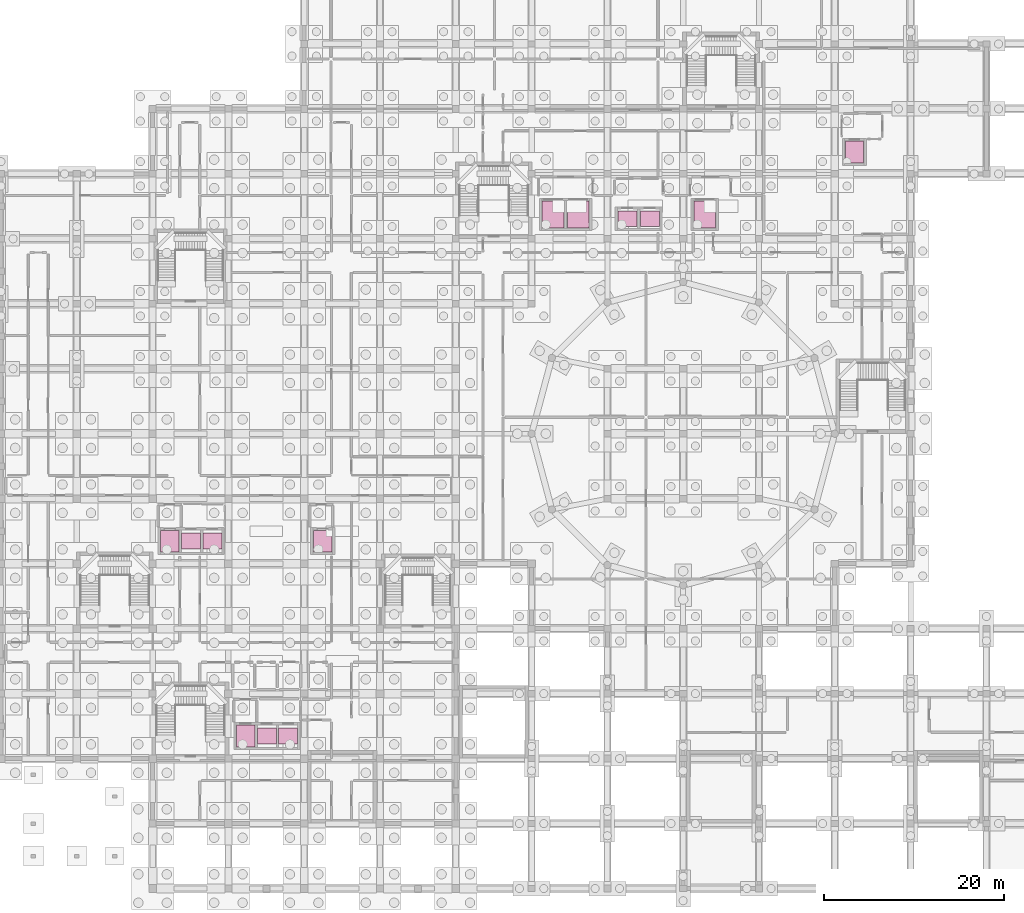
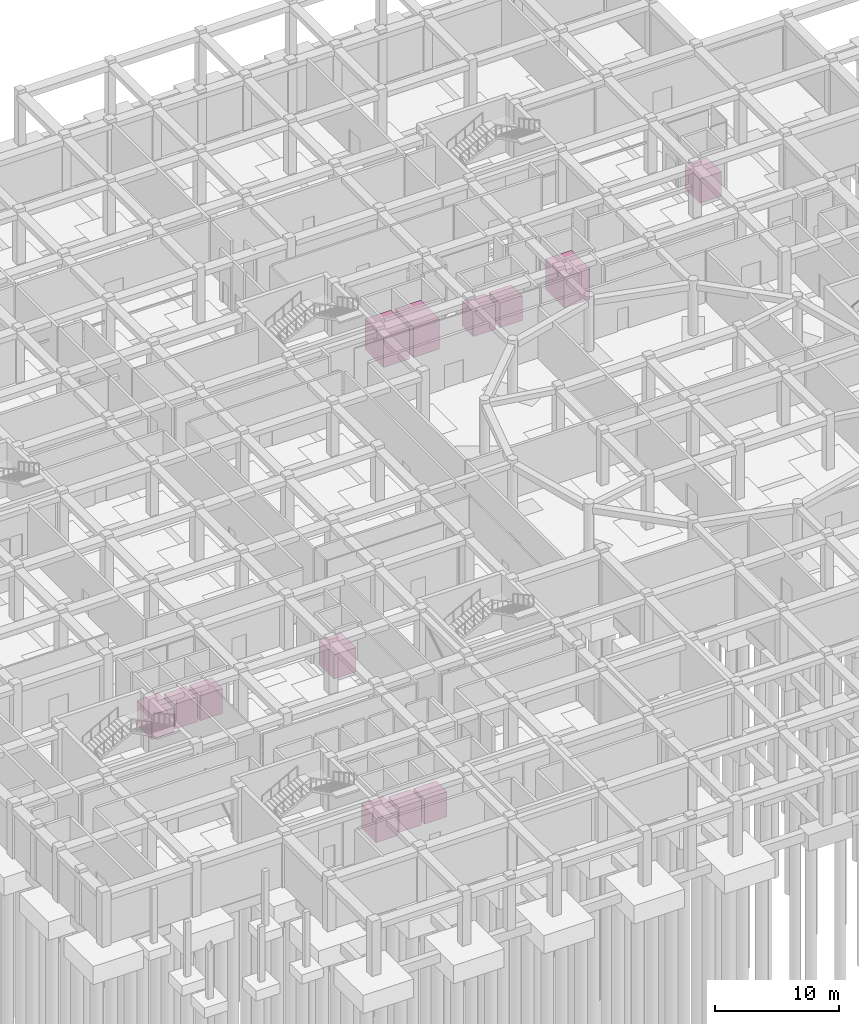
# One storey, part 32 of 32: 13 transport elements.
"""IFC4 building model written with IfcOpenShell, lengths in metres."""

from ifc_helpers import new_model, si_unit, derived_unit, direction, frame, origin, origin_2d, place, context, subcontext, project, spatial, rectangle, extrude, material, type_object, element, save


model = new_model("IFC4")

# Units and contexts
model_context = context("Model", 3, precision=1e-05, world=origin(), true_north=direction((0.0, 1.0)))
body_context = subcontext(model_context, "Body", "Model", "MODEL_VIEW")
ifc_project = project(units=[si_unit("LENGTHUNIT", "METRE"), si_unit("AREAUNIT", "SQUARE_METRE"), si_unit("VOLUMEUNIT", "CUBIC_METRE"), si_unit("PLANEANGLEUNIT", "RADIAN"), si_unit("MASSUNIT", "GRAM", prefix="KILO"), derived_unit("THERMALTRANSMITTANCEUNIT", [(si_unit("POWERUNIT", "WATT"), 1), (si_unit("LENGTHUNIT", "METRE"), -2), (si_unit("THERMODYNAMICTEMPERATUREUNIT", "KELVIN"), -1)])], contexts=[model_context])

# Site, building, storey
site_placement = place(None, origin())
site = spatial("IfcSite", under=ifc_project, at=site_placement, CompositionType="ELEMENT")
building_placement = place(site_placement, origin())
building = spatial("IfcBuilding", under=site, at=building_placement, Name="Veybourne Emporium", CompositionType="ELEMENT")
storey_placement = place(building_placement, frame((0.0, 0.0, -5.39990234375)))
storey = spatial("IfcBuildingStorey", under=building, at=storey_placement, Name="B1", CompositionType="ELEMENT", Elevation=-5.39990234375)

# Transport elements
ifc_material = material(Name="Brushed Stainless Steel", Category="steel")
transport_element_type_1 = type_object("IfcTransportElementType", Name="LiftType_CL", PredefinedType="ELEVATOR", material=ifc_material)
transport_element_placement = place(storey_placement, frame((94.574951171875, 81.625, 0.0), z_axis=(0.0, 0.0, 1.0), x_axis=(1.0, 0.0, 0.0)))
element("IfcTransportElement", 1, at=transport_element_placement, inside=storey, type_object=transport_element_type_1, Name="Lift CL-01 car", PredefinedType="ELEVATOR", context=body_context, shape_type="SweptSolid", body=[
    extrude(rectangle(XDim=2.0, YDim=2.39990234375, at=origin_2d()), origin(), (0.0, 0.0, 1.0), 2.39990234375),
])
transport_element_type_2 = type_object("IfcTransportElementType", Name="LiftType_FFL", PredefinedType="ELEVATOR", material=ifc_material)
for number, where, z_axis, x_axis, name in (
    (2, (27.110107421875, 16.89990234375, 0.0), (0.0, 0.0, 1.0), (1.0, 0.0, 0.0), "Lift FFL-01 car"),
    (3, (18.7099609375, 38.5, 0.0), (0.0, 0.0, 1.0), (1.0, 0.0, 0.0), "Lift FFL-02 car"),
    (4, (35.659912109375, 38.5, 0.0), (0.0, 0.0, 1.0), (1.0, 0.0, 0.0), "Lift FFL-03 car"),
):
    element("IfcTransportElement", number, at=place(storey_placement, frame(where, z_axis=z_axis, x_axis=x_axis)), inside=storey, type_object=transport_element_type_2, Name=name, PredefinedType="ELEVATOR", context=body_context, shape_type="SweptSolid", body=[
        extrude(rectangle(XDim=2.050048828125, YDim=2.39990234375, at=origin_2d()), origin(), (0.0, 0.0, 1.0), 2.39990234375),
    ])
transport_element_type_3 = type_object("IfcTransportElementType", Name="LiftType_GL", PredefinedType="ELEVATOR", material=ifc_material)
for number, where, z_axis, x_axis, name in (
    (5, (61.175048828125, 74.699951171875, 0.0), (0.0, 0.0, 1.0), (1.0, 0.0, 0.0), "Lift GL-01 car"),
    (6, (63.965087890625, 74.699951171875, 0.0), (0.0, 0.0, 1.0), (1.0, 0.0, 0.0), "Lift GL-02 car"),
    (7, (77.97509765625, 74.699951171875, 0.0), (0.0, 0.0, 1.0), (1.0, 0.0, 0.0), "Lift GL-03 car"),
):
    element("IfcTransportElement", number, at=place(storey_placement, frame(where, z_axis=z_axis, x_axis=x_axis)), inside=storey, type_object=transport_element_type_3, Name=name, PredefinedType="ELEVATOR", context=body_context, shape_type="SweptSolid", body=[
        extrude(rectangle(XDim=2.39990234375, YDim=3.0, at=origin_2d()), origin(), (0.0, 0.0, 1.0), 3.0),
    ])
transport_element_type_4 = type_object("IfcTransportElementType", Name="LiftType_PL", PredefinedType="ELEVATOR", material=ifc_material)
for number, where, z_axis, x_axis, name in (
    (8, (29.4599609375, 16.89990234375, 0.0), (0.0, 0.0, 1.0), (1.0, 0.0, 0.0), "Lift PL-01 car"),
    (9, (31.820068359375, 16.89990234375, 0.0), (0.0, 0.0, 1.0), (1.0, 0.0, 0.0), "Lift PL-02 car"),
    (10, (21.06005859375, 38.5, 0.0), (0.0, 0.0, 1.0), (1.0, 0.0, 0.0), "Lift PL-03 car"),
    (11, (23.419921875, 38.5, 0.0), (0.0, 0.0, 1.0), (1.0, 0.0, 0.0), "Lift PL-04 car"),
    (12, (69.425048828125, 74.22509765625, 0.0), (0.0, 0.0, 1.0), (1.0, 0.0, 0.0), "Lift PL-05 car"),
    (13, (71.9150390625, 74.22509765625, 0.0), (0.0, 0.0, 1.0), (1.0, 0.0, 0.0), "Lift PL-06 car"),
):
    element("IfcTransportElement", number, at=place(storey_placement, frame(where, z_axis=z_axis, x_axis=x_axis)), inside=storey, type_object=transport_element_type_4, Name=name, PredefinedType="ELEVATOR", context=body_context, shape_type="SweptSolid", body=[
        extrude(rectangle(XDim=2.10009765625, YDim=1.75, at=origin_2d()), origin(), (0.0, 0.0, 1.0), 2.449951171875),
    ])

save(model, "model.ifc")
